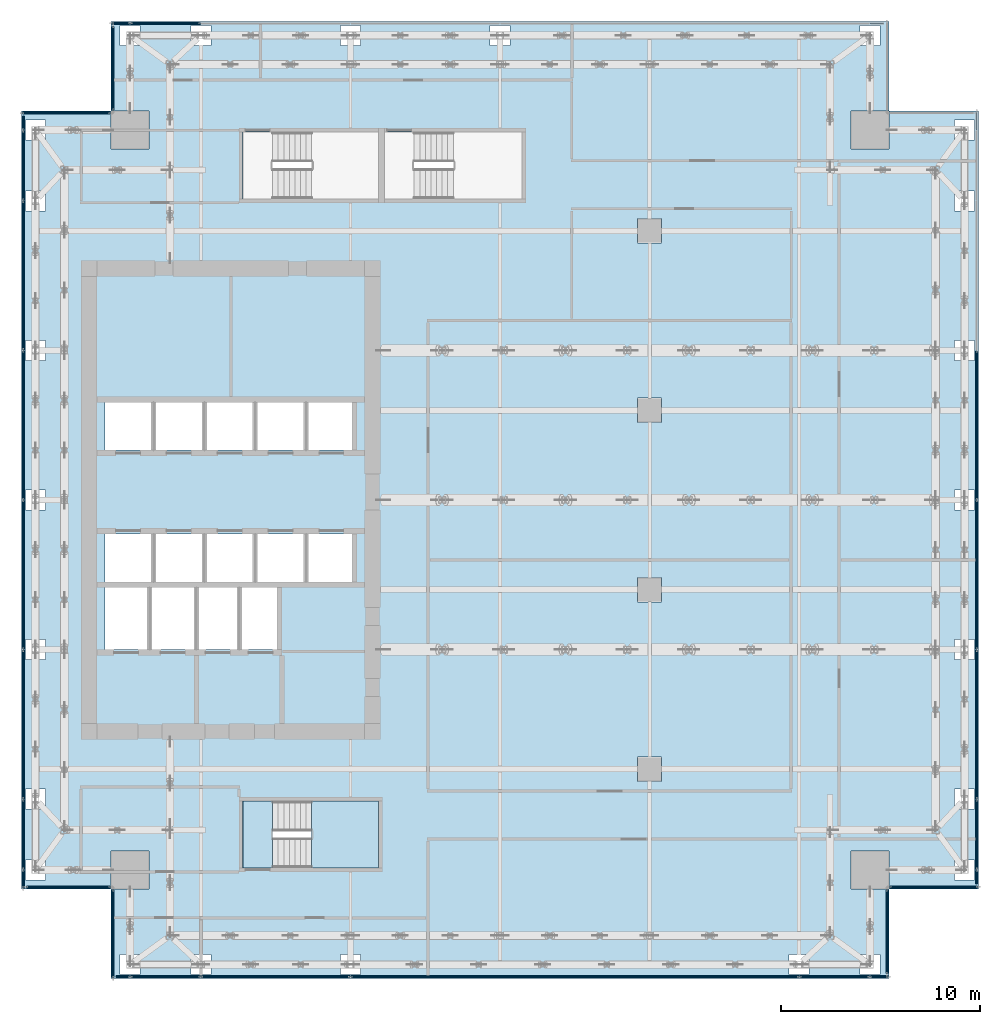
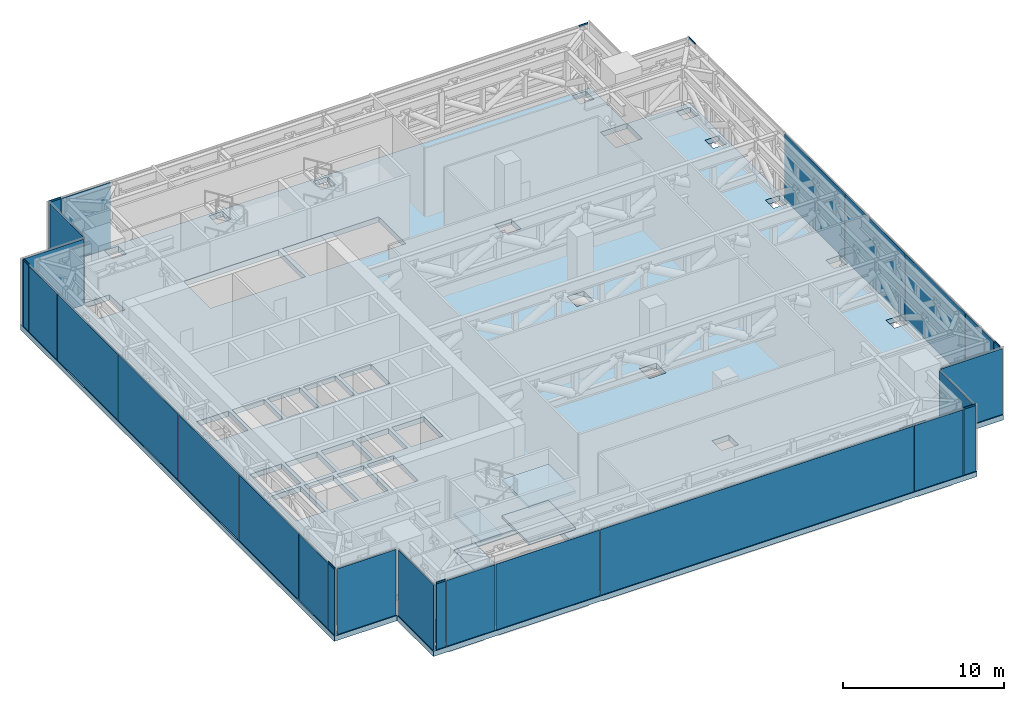
# One storey, part 27 of 36: 27 plates, 8 members, 5 slabs, 11 elements without a shape of their own.
"""IFC4 building model written with IfcOpenShell, lengths in metres."""

from ifc_helpers import new_model, si_unit, direction, frame, origin, origin_2d, place, context, subcontext, project, spatial, polyline, rectangle, hollow_rectangle, outline, extrude, source, transform, mapped, material, layer, layer_set, material_profile, profile_set, type_object, element, aggregate, save


model = new_model("IFC4")

# Units and contexts
model_context = context("Model", 3, precision=1e-05, world=origin(), true_north=direction((0.0, 1.0)))
body_context = subcontext(model_context, "Body", "Model", "MODEL_VIEW")
ifc_project = project(units=[si_unit("LENGTHUNIT", "METRE"), si_unit("AREAUNIT", "SQUARE_METRE"), si_unit("VOLUMEUNIT", "CUBIC_METRE"), si_unit("PLANEANGLEUNIT", "RADIAN"), si_unit("MASSUNIT", "GRAM", prefix="KILO")], contexts=[model_context])

# Site, building, storey
site_placement = place(None, origin())
site = spatial("IfcSite", under=ifc_project, at=site_placement, CompositionType="ELEMENT")
building_placement = place(site_placement, origin())
building = spatial("IfcBuilding", under=site, at=building_placement, Name="Khomas Fold Tower", CompositionType="ELEMENT")
storey_placement = place(building_placement, frame((0.0, 0.0, 216.699951171875)))
storey = spatial("IfcBuildingStorey", under=building, at=storey_placement, Name="L48", CompositionType="ELEMENT", Elevation=216.699951171875)

# Curtain wall, member
ifc_material_1 = material(Name="Aluminium framed double glazing", Category="aluminium")
curtain_wall_type = type_object("IfcCurtainWallType", Name="SK-Plant louvre wall CW4", PredefinedType="NOTDEFINED", material=ifc_material_1)
curtain_wall_1_placement = place(storey_placement, origin())
curtain_wall_1 = element("IfcCurtainWall", 1, at=curtain_wall_1_placement, inside=storey, type_object=curtain_wall_type, Name="CW4 run L48 00-0", PredefinedType="NOTDEFINED")
ifc_material_2 = material(Name="Aluminium", Category="aluminium")
ifc_material_profile = material_profile(ifc_material_2, hollow_rectangle(XDim=0.06005859375, YDim=0.1201171875, WallThickness=0.00390625, at=origin_2d()), Name="SK-Plant louvre wall transom CW4-T")
ifc_profile_set = profile_set([ifc_material_profile], Name="Aluminium")
member_type = type_object("IfcMemberType", Name="SK-Plant louvre wall transom CW4-T", PredefinedType="USERDEFINED", material=ifc_profile_set)
shared_shape_1 = source(origin(), body_context, "Body", "SweptSolid", [
    extrude(hollow_rectangle(XDim=0.06005859375, YDim=0.1201171875, WallThickness=0.00390625, at=origin_2d()), origin(), (0.0, 0.0, 1.0), 0.659912109375),
])
member_1_placement = place(storey_placement, frame((7.760009765625, 3.10009765625, 5.0400390625), z_axis=(1.0, 0.0, 0.0), x_axis=(0.0, 1.0, 0.0)))
member_1 = element("IfcMember", 2, at=member_1_placement, type_object=member_type, Name="CW4 transom 1", ObjectType="TRANSOM", PredefinedType="USERDEFINED", context=body_context, shape_type="MappedRepresentation", body=[
    mapped(shared_shape_1, transform((0.0, 0.0, 0.0))),
])

curtain_wall_2_placement = place(storey_placement, origin())
curtain_wall_2 = element("IfcCurtainWall", 3, at=curtain_wall_2_placement, inside=storey, type_object=curtain_wall_type, Name="CW4 run L48 03-0", PredefinedType="NOTDEFINED")
member_2_placement = place(storey_placement, frame((50.89990234375, 7.760009765625, 5.0400390625), z_axis=(0.0, 1.0, 0.0), x_axis=(-1.0, 0.0, 0.0)))
member_2 = element("IfcMember", 4, at=member_2_placement, type_object=member_type, Name="CW4 transom 1", ObjectType="TRANSOM", PredefinedType="USERDEFINED", context=body_context, shape_type="MappedRepresentation", body=[
    mapped(shared_shape_1, transform((0.0, 0.0, 0.0))),
])

curtain_wall_3_placement = place(storey_placement, origin())
curtain_wall_3 = element("IfcCurtainWall", 5, at=curtain_wall_3_placement, inside=storey, type_object=curtain_wall_type, Name="CW4 run L48 06-0", PredefinedType="NOTDEFINED")
member_3_placement = place(storey_placement, frame((46.239990234375, 50.89990234375, 5.0400390625), z_axis=(-1.0, 0.0, 0.0), x_axis=(0.0, -1.0, 0.0)))
member_3 = element("IfcMember", 6, at=member_3_placement, type_object=member_type, Name="CW4 transom 1", ObjectType="TRANSOM", PredefinedType="USERDEFINED", context=body_context, shape_type="MappedRepresentation", body=[
    mapped(shared_shape_1, transform((0.0, 0.0, 0.0))),
])

curtain_wall_4_placement = place(storey_placement, origin())
curtain_wall_4 = element("IfcCurtainWall", 7, at=curtain_wall_4_placement, inside=storey, type_object=curtain_wall_type, Name="CW4 run L48 09-0", PredefinedType="NOTDEFINED")
member_4_placement = place(storey_placement, frame((3.10009765625, 46.239990234375, 5.0400390625), z_axis=(0.0, -1.0, 0.0), x_axis=(1.0, 0.0, 0.0)))
member_4 = element("IfcMember", 8, at=member_4_placement, type_object=member_type, Name="CW4 transom 1", ObjectType="TRANSOM", PredefinedType="USERDEFINED", context=body_context, shape_type="MappedRepresentation", body=[
    mapped(shared_shape_1, transform((0.0, 0.0, 0.0))),
])

# Member
shared_shape_2 = source(origin(), body_context, "Body", "SweptSolid", [
    extrude(hollow_rectangle(XDim=0.06005859375, YDim=0.1201171875, WallThickness=0.00390625, at=origin_2d()), origin(), (0.0, 0.0, 1.0), 0.85986328125),
])
member_5_placement = place(storey_placement, frame((45.580078125, 3.10009765625, 5.0400390625), z_axis=(1.0, 0.0, 0.0), x_axis=(0.0, 1.0, 0.0)))
member_5 = element("IfcMember", 9, at=member_5_placement, type_object=member_type, Name="CW4 transom 6", ObjectType="TRANSOM", PredefinedType="USERDEFINED", context=body_context, shape_type="MappedRepresentation", body=[
    mapped(shared_shape_2, transform((0.0, 0.0, 0.0))),
])

member_6_placement = place(storey_placement, frame((50.89990234375, 45.580078125, 5.0400390625), z_axis=(0.0, 1.0, 0.0), x_axis=(-1.0, 0.0, 0.0)))
member_6 = element("IfcMember", 10, at=member_6_placement, type_object=member_type, Name="CW4 transom 8", ObjectType="TRANSOM", PredefinedType="USERDEFINED", context=body_context, shape_type="MappedRepresentation", body=[
    mapped(shared_shape_2, transform((0.0, 0.0, 0.0))),
])

member_7_placement = place(storey_placement, frame((8.419921875, 50.89990234375, 5.0400390625), z_axis=(-1.0, 0.0, 0.0), x_axis=(0.0, -1.0, 0.0)))
member_7 = element("IfcMember", 11, at=member_7_placement, type_object=member_type, Name="CW4 transom 6", ObjectType="TRANSOM", PredefinedType="USERDEFINED", context=body_context, shape_type="MappedRepresentation", body=[
    mapped(shared_shape_2, transform((0.0, 0.0, 0.0))),
])

member_8_placement = place(storey_placement, frame((3.10009765625, 8.419921875, 5.0400390625), z_axis=(0.0, -1.0, 0.0), x_axis=(1.0, 0.0, 0.0)))
member_8 = element("IfcMember", 12, at=member_8_placement, type_object=member_type, Name="CW4 transom 8", ObjectType="TRANSOM", PredefinedType="USERDEFINED", context=body_context, shape_type="MappedRepresentation", body=[
    mapped(shared_shape_2, transform((0.0, 0.0, 0.0))),
])

# Slab
ifc_material_3 = material(Name="Concrete C40/50", Category="concrete")
ifc_layer_1 = layer(ifc_material_3, 0.39990234375)
ifc_layer_set_1 = layer_set([ifc_layer_1], Name="Concrete C40/50")
slab_type_1 = type_object("IfcSlabType", Name="RC floor slab 400", PredefinedType="FLOOR", material=ifc_layer_set_1)
shared_shape_3 = source(origin(), body_context, "Body", "SweptSolid", [
    extrude(outline(polyline([(3.0, 7.5), (7.4951171875, 7.5), (7.4951171875, 9.405029296875), (9.405029296875, 9.405029296875), (9.405029296875, 7.4951171875), (7.5, 7.4951171875), (7.5, 3.0), (46.5, 3.0), (46.5, 7.4951171875), (44.594970703125, 7.4951171875), (44.594970703125, 9.405029296875), (46.5048828125, 9.405029296875), (46.5048828125, 7.5), (51.0, 7.5), (51.0, 46.5), (46.5048828125, 46.5), (46.5048828125, 44.594970703125), (44.594970703125, 44.594970703125), (44.594970703125, 46.5048828125), (46.5, 46.5048828125), (46.5, 51.0), (7.5, 51.0), (7.5, 46.5048828125), (9.405029296875, 46.5048828125), (9.405029296875, 44.594970703125), (7.4951171875, 44.594970703125), (7.4951171875, 46.5), (3.0, 46.5), (3.0, 7.5)]), holes=[polyline([(3.195068359375, 7.945068359375), (3.195068359375, 8.955078125), (4.205078125, 8.955078125), (4.205078125, 7.945068359375), (3.195068359375, 7.945068359375)]), polyline([(3.195068359375, 11.4951171875), (3.195068359375, 12.5048828125), (4.205078125, 12.5048828125), (4.205078125, 11.4951171875), (3.195068359375, 11.4951171875)]), polyline([(3.195068359375, 18.9951171875), (3.195068359375, 20.0048828125), (4.205078125, 20.0048828125), (4.205078125, 18.9951171875), (3.195068359375, 18.9951171875)]), polyline([(3.195068359375, 26.4951171875), (3.195068359375, 27.5048828125), (4.205078125, 27.5048828125), (4.205078125, 26.4951171875), (3.195068359375, 26.4951171875)]), polyline([(3.195068359375, 33.9951171875), (3.195068359375, 35.0048828125), (4.205078125, 35.0048828125), (4.205078125, 33.9951171875), (3.195068359375, 33.9951171875)]), polyline([(3.195068359375, 41.4951171875), (3.195068359375, 42.5048828125), (4.205078125, 42.5048828125), (4.205078125, 41.4951171875), (3.195068359375, 41.4951171875)]), polyline([(3.195068359375, 45.044921875), (3.195068359375, 46.054931640625), (4.205078125, 46.054931640625), (4.205078125, 45.044921875), (3.195068359375, 45.044921875)]), polyline([(7.199951171875, 19.5), (7.199951171875, 22.60009765625), (9.300048828125, 22.60009765625), (9.300048828125, 19.5), (7.199951171875, 19.5)]), polyline([(7.199951171875, 22.89990234375), (7.199951171875, 25.300048828125), (9.5, 25.300048828125), (9.5, 22.89990234375), (7.199951171875, 22.89990234375)]), polyline([(7.199951171875, 29.5), (7.199951171875, 31.89990234375), (9.5, 31.89990234375), (9.5, 29.5), (7.199951171875, 29.5)]), polyline([(7.945068359375, 3.195068359375), (7.945068359375, 4.205078125), (8.955078125, 4.205078125), (8.955078125, 3.195068359375), (7.945068359375, 3.195068359375)]), polyline([(7.945068359375, 49.794921875), (7.945068359375, 50.804931640625), (8.955078125, 50.804931640625), (8.955078125, 49.794921875), (7.945068359375, 49.794921875)]), polyline([(9.550048828125, 19.5), (9.550048828125, 22.60009765625), (11.64990234375, 22.60009765625), (11.64990234375, 19.5), (9.550048828125, 19.5)]), polyline([(9.75, 22.89990234375), (9.75, 25.300048828125), (12.050048828125, 25.300048828125), (12.050048828125, 22.89990234375), (9.75, 22.89990234375)]), polyline([(9.75, 29.5), (9.75, 31.89990234375), (12.050048828125, 31.89990234375), (12.050048828125, 29.5), (9.75, 29.5)]), polyline([(11.4951171875, 3.195068359375), (11.4951171875, 4.205078125), (12.5048828125, 4.205078125), (12.5048828125, 3.195068359375), (11.4951171875, 3.195068359375)]), polyline([(11.4951171875, 49.794921875), (11.4951171875, 50.804931640625), (12.5048828125, 50.804931640625), (12.5048828125, 49.794921875), (11.4951171875, 49.794921875)]), polyline([(11.89990234375, 19.5), (11.89990234375, 22.60009765625), (13.800048828125, 22.60009765625), (13.800048828125, 19.5), (11.89990234375, 19.5)]), polyline([(12.300048828125, 22.89990234375), (12.300048828125, 25.300048828125), (14.60009765625, 25.300048828125), (14.60009765625, 22.89990234375), (12.300048828125, 22.89990234375)]), polyline([(12.300048828125, 29.5), (12.300048828125, 31.89990234375), (14.60009765625, 31.89990234375), (14.60009765625, 29.5), (12.300048828125, 29.5)]), polyline([(14.050048828125, 19.5), (14.050048828125, 22.60009765625), (15.949951171875, 22.60009765625), (15.949951171875, 19.5), (14.050048828125, 19.5)]), polyline([(14.10009765625, 8.550048828125), (14.10009765625, 11.89990234375), (20.89990234375, 11.89990234375), (20.89990234375, 8.550048828125), (14.10009765625, 8.550048828125)]), polyline([(14.10009765625, 42.10009765625), (14.10009765625, 45.449951171875), (20.89990234375, 45.449951171875), (20.89990234375, 42.10009765625), (14.10009765625, 42.10009765625)]), polyline([(14.85009765625, 22.89990234375), (14.85009765625, 25.300048828125), (17.14990234375, 25.300048828125), (17.14990234375, 22.89990234375), (14.85009765625, 22.89990234375)]), polyline([(14.85009765625, 29.5), (14.85009765625, 31.89990234375), (17.14990234375, 31.89990234375), (17.14990234375, 29.5), (14.85009765625, 29.5)]), polyline([(17.39990234375, 22.89990234375), (17.39990234375, 25.300048828125), (19.699951171875, 25.300048828125), (19.699951171875, 22.89990234375), (17.39990234375, 22.89990234375)]), polyline([(17.39990234375, 29.5), (17.39990234375, 31.89990234375), (19.699951171875, 31.89990234375), (19.699951171875, 29.5), (17.39990234375, 29.5)]), polyline([(18.9951171875, 3.195068359375), (18.9951171875, 4.205078125), (20.0048828125, 4.205078125), (20.0048828125, 3.195068359375), (18.9951171875, 3.195068359375)]), polyline([(18.9951171875, 49.794921875), (18.9951171875, 50.804931640625), (20.0048828125, 50.804931640625), (20.0048828125, 49.794921875), (18.9951171875, 49.794921875)]), polyline([(21.199951171875, 42.10009765625), (21.199951171875, 45.449951171875), (28.10009765625, 45.449951171875), (28.10009765625, 42.10009765625), (21.199951171875, 42.10009765625)]), polyline([(26.4951171875, 49.794921875), (26.4951171875, 50.804931640625), (27.5048828125, 50.804931640625), (27.5048828125, 49.794921875), (26.4951171875, 49.794921875)]), polyline([(33.89501953125, 12.89501953125), (33.89501953125, 14.10498046875), (35.10498046875, 14.10498046875), (35.10498046875, 12.89501953125), (33.89501953125, 12.89501953125)]), polyline([(33.89501953125, 21.89501953125), (33.89501953125, 23.10498046875), (35.10498046875, 23.10498046875), (35.10498046875, 21.89501953125), (33.89501953125, 21.89501953125)]), polyline([(33.89501953125, 30.89501953125), (33.89501953125, 32.10498046875), (35.10498046875, 32.10498046875), (35.10498046875, 30.89501953125), (33.89501953125, 30.89501953125)]), polyline([(33.89501953125, 39.89501953125), (33.89501953125, 41.10498046875), (35.10498046875, 41.10498046875), (35.10498046875, 39.89501953125), (33.89501953125, 39.89501953125)]), polyline([(41.4951171875, 3.195068359375), (41.4951171875, 4.205078125), (42.5048828125, 4.205078125), (42.5048828125, 3.195068359375), (41.4951171875, 3.195068359375)]), polyline([(45.044921875, 3.195068359375), (45.044921875, 4.205078125), (46.054931640625, 4.205078125), (46.054931640625, 3.195068359375), (45.044921875, 3.195068359375)]), polyline([(45.044921875, 49.794921875), (45.044921875, 50.804931640625), (46.054931640625, 50.804931640625), (46.054931640625, 49.794921875), (45.044921875, 49.794921875)]), polyline([(49.794921875, 7.945068359375), (49.794921875, 8.955078125), (50.804931640625, 8.955078125), (50.804931640625, 7.945068359375), (49.794921875, 7.945068359375)]), polyline([(49.794921875, 11.4951171875), (49.794921875, 12.5048828125), (50.804931640625, 12.5048828125), (50.804931640625, 11.4951171875), (49.794921875, 11.4951171875)]), polyline([(49.794921875, 18.9951171875), (49.794921875, 20.0048828125), (50.804931640625, 20.0048828125), (50.804931640625, 18.9951171875), (49.794921875, 18.9951171875)]), polyline([(49.794921875, 26.4951171875), (49.794921875, 27.5048828125), (50.804931640625, 27.5048828125), (50.804931640625, 26.4951171875), (49.794921875, 26.4951171875)]), polyline([(49.794921875, 33.9951171875), (49.794921875, 35.0048828125), (50.804931640625, 35.0048828125), (50.804931640625, 33.9951171875), (49.794921875, 33.9951171875)]), polyline([(49.794921875, 41.4951171875), (49.794921875, 42.5048828125), (50.804931640625, 42.5048828125), (50.804931640625, 41.4951171875), (49.794921875, 41.4951171875)]), polyline([(49.794921875, 45.044921875), (49.794921875, 46.054931640625), (50.804931640625, 46.054931640625), (50.804931640625, 45.044921875), (49.794921875, 45.044921875)])]), origin(), (0.0, 0.0, 1.0), 0.39990234375),
])
slab_1_placement = place(storey_placement, frame((0.0, 0.0, -0.39990234375)))
element("IfcSlab", 13, at=slab_1_placement, inside=storey, type_object=slab_type_1, Name="S-L48", PredefinedType="FLOOR", context=body_context, shape_type="MappedRepresentation", body=[
    mapped(shared_shape_3, transform((0.0, 0.0, 0.0))),
])

# Plate
ifc_material_4 = material(Name="Aluminium louvre blades", Category="aluminium")
ifc_layer_2 = layer(ifc_material_4, 0.080078125)
ifc_layer_set_2 = layer_set([ifc_layer_2], Name="Aluminium louvre blades")
plate_type = type_object("IfcPlateType", Name="SK-Plant louvre wall louvre panel CW4-P", PredefinedType="CURTAIN_PANEL", material=ifc_layer_set_2)
shared_shape_4 = source(origin(), body_context, "Body", "SweptSolid", [
    extrude(rectangle(XDim=7.43994140625, YDim=0.080078125, at=origin_2d()), origin(), (0.0, 0.0, 1.0), 4.97998046875),
])
plate_1_placement = place(storey_placement, frame((15.75, 3.10009765625, 0.0), z_axis=(0.0, 0.0, 1.0), x_axis=(1.0, 0.0, 0.0)))
plate_1 = element("IfcPlate", 14, at=plate_1_placement, type_object=plate_type, Name="CW4 louvre panel 3", PredefinedType="CURTAIN_PANEL", context=body_context, shape_type="MappedRepresentation", body=[
    mapped(shared_shape_4, transform((0.0, 0.0, 0.0))),
])

plate_2_placement = place(storey_placement, frame((50.89990234375, 15.75, 0.0), z_axis=(0.0, 0.0, 1.0), x_axis=(0.0, 1.0, 0.0)))
plate_2 = element("IfcPlate", 15, at=plate_2_placement, type_object=plate_type, Name="CW4 louvre panel 3", PredefinedType="CURTAIN_PANEL", context=body_context, shape_type="MappedRepresentation", body=[
    mapped(shared_shape_4, transform((0.0, 0.0, 0.0))),
])

plate_3_placement = place(storey_placement, frame((50.89990234375, 23.25, 0.0), z_axis=(0.0, 0.0, 1.0), x_axis=(0.0, 1.0, 0.0)))
plate_3 = element("IfcPlate", 16, at=plate_3_placement, type_object=plate_type, Name="CW4 louvre panel 4", PredefinedType="CURTAIN_PANEL", context=body_context, shape_type="MappedRepresentation", body=[
    mapped(shared_shape_4, transform((0.0, 0.0, 0.0))),
])

plate_4_placement = place(storey_placement, frame((50.89990234375, 30.75, 0.0), z_axis=(0.0, 0.0, 1.0), x_axis=(0.0, 1.0, 0.0)))
plate_4 = element("IfcPlate", 17, at=plate_4_placement, type_object=plate_type, Name="CW4 louvre panel 5", PredefinedType="CURTAIN_PANEL", context=body_context, shape_type="MappedRepresentation", body=[
    mapped(shared_shape_4, transform((0.0, 0.0, 0.0))),
])

plate_5_placement = place(storey_placement, frame((3.10009765625, 38.25, 0.0), z_axis=(0.0, 0.0, 1.0), x_axis=(0.0, -1.0, 0.0)))
plate_5 = element("IfcPlate", 18, at=plate_5_placement, type_object=plate_type, Name="CW4 louvre panel 3", PredefinedType="CURTAIN_PANEL", context=body_context, shape_type="MappedRepresentation", body=[
    mapped(shared_shape_4, transform((0.0, 0.0, 0.0))),
])

plate_6_placement = place(storey_placement, frame((3.10009765625, 30.75, 0.0), z_axis=(0.0, 0.0, 1.0), x_axis=(0.0, -1.0, 0.0)))
plate_6 = element("IfcPlate", 19, at=plate_6_placement, type_object=plate_type, Name="CW4 louvre panel 4", PredefinedType="CURTAIN_PANEL", context=body_context, shape_type="MappedRepresentation", body=[
    mapped(shared_shape_4, transform((0.0, 0.0, 0.0))),
])

plate_7_placement = place(storey_placement, frame((3.10009765625, 23.25, 0.0), z_axis=(0.0, 0.0, 1.0), x_axis=(0.0, -1.0, 0.0)))
plate_7 = element("IfcPlate", 20, at=plate_7_placement, type_object=plate_type, Name="CW4 louvre panel 5", PredefinedType="CURTAIN_PANEL", context=body_context, shape_type="MappedRepresentation", body=[
    mapped(shared_shape_4, transform((0.0, 0.0, 0.0))),
])

plate_8_placement = place(storey_placement, frame((3.10009765625, 15.75, 0.0), z_axis=(0.0, 0.0, 1.0), x_axis=(0.0, -1.0, 0.0)))
plate_8 = element("IfcPlate", 21, at=plate_8_placement, type_object=plate_type, Name="CW4 louvre panel 6", PredefinedType="CURTAIN_PANEL", context=body_context, shape_type="MappedRepresentation", body=[
    mapped(shared_shape_4, transform((0.0, 0.0, 0.0))),
])

shared_shape_5 = source(origin(), body_context, "Body", "SweptSolid", [
    extrude(rectangle(XDim=0.659912109375, YDim=0.080078125, at=origin_2d()), origin(), (0.0, 0.0, 1.0), 4.97998046875),
])
plate_9_placement = place(storey_placement, frame((8.090087890625, 3.10009765625, 0.0), z_axis=(0.0, 0.0, 1.0), x_axis=(1.0, 0.0, 0.0)))
plate_9 = element("IfcPlate", 22, at=plate_9_placement, type_object=plate_type, Name="CW4 louvre panel 1", PredefinedType="CURTAIN_PANEL", context=body_context, shape_type="MappedRepresentation", body=[
    mapped(shared_shape_5, transform((0.0, 0.0, 0.0))),
])

plate_10_placement = place(storey_placement, frame((50.89990234375, 8.090087890625, 0.0), z_axis=(0.0, 0.0, 1.0), x_axis=(0.0, 1.0, 0.0)))
plate_10 = element("IfcPlate", 23, at=plate_10_placement, type_object=plate_type, Name="CW4 louvre panel 1", PredefinedType="CURTAIN_PANEL", context=body_context, shape_type="MappedRepresentation", body=[
    mapped(shared_shape_5, transform((0.0, 0.0, 0.0))),
])

plate_11_placement = place(storey_placement, frame((3.10009765625, 45.909912109375, 0.0), z_axis=(0.0, 0.0, 1.0), x_axis=(0.0, -1.0, 0.0)))
plate_11 = element("IfcPlate", 24, at=plate_11_placement, type_object=plate_type, Name="CW4 louvre panel 1", PredefinedType="CURTAIN_PANEL", context=body_context, shape_type="MappedRepresentation", body=[
    mapped(shared_shape_5, transform((0.0, 0.0, 0.0))),
])

shared_shape_6 = source(origin(), body_context, "Body", "SweptSolid", [
    extrude(rectangle(XDim=3.489990234375, YDim=0.080078125, at=origin_2d()), origin(), (0.0, 0.0, 1.0), 4.97998046875),
])
plate_12_placement = place(storey_placement, frame((10.22509765625, 3.10009765625, 0.0), z_axis=(0.0, 0.0, 1.0), x_axis=(1.0, 0.0, 0.0)))
plate_12 = element("IfcPlate", 25, at=plate_12_placement, type_object=plate_type, Name="CW4 louvre panel 2", PredefinedType="CURTAIN_PANEL", context=body_context, shape_type="MappedRepresentation", body=[
    mapped(shared_shape_6, transform((0.0, 0.0, 0.0))),
])

plate_13_placement = place(storey_placement, frame((43.77490234375, 3.10009765625, 0.0), z_axis=(0.0, 0.0, 1.0), x_axis=(1.0, 0.0, 0.0)))
plate_13 = element("IfcPlate", 26, at=plate_13_placement, type_object=plate_type, Name="CW4 louvre panel 5", PredefinedType="CURTAIN_PANEL", context=body_context, shape_type="MappedRepresentation", body=[
    mapped(shared_shape_6, transform((0.0, 0.0, 0.0))),
])

plate_14_placement = place(storey_placement, frame((50.89990234375, 10.22509765625, 0.0), z_axis=(0.0, 0.0, 1.0), x_axis=(0.0, 1.0, 0.0)))
plate_14 = element("IfcPlate", 27, at=plate_14_placement, type_object=plate_type, Name="CW4 louvre panel 2", PredefinedType="CURTAIN_PANEL", context=body_context, shape_type="MappedRepresentation", body=[
    mapped(shared_shape_6, transform((0.0, 0.0, 0.0))),
])

aggregate(curtain_wall_2, [member_2, plate_10, plate_14, plate_2, plate_3, plate_4, member_6])

plate_15_placement = place(storey_placement, frame((10.22509765625, 50.89990234375, 0.0), z_axis=(0.0, 0.0, 1.0), x_axis=(-1.0, 0.0, 0.0)))
plate_15 = element("IfcPlate", 28, at=plate_15_placement, type_object=plate_type, Name="CW4 louvre panel 5", PredefinedType="CURTAIN_PANEL", context=body_context, shape_type="MappedRepresentation", body=[
    mapped(shared_shape_6, transform((0.0, 0.0, 0.0))),
])

plate_16_placement = place(storey_placement, frame((3.10009765625, 43.77490234375, 0.0), z_axis=(0.0, 0.0, 1.0), x_axis=(0.0, -1.0, 0.0)))
plate_16 = element("IfcPlate", 29, at=plate_16_placement, type_object=plate_type, Name="CW4 louvre panel 2", PredefinedType="CURTAIN_PANEL", context=body_context, shape_type="MappedRepresentation", body=[
    mapped(shared_shape_6, transform((0.0, 0.0, 0.0))),
])

plate_17_placement = place(storey_placement, frame((3.10009765625, 10.22509765625, 0.0), z_axis=(0.0, 0.0, 1.0), x_axis=(0.0, -1.0, 0.0)))
plate_17 = element("IfcPlate", 30, at=plate_17_placement, type_object=plate_type, Name="CW4 louvre panel 7", PredefinedType="CURTAIN_PANEL", context=body_context, shape_type="MappedRepresentation", body=[
    mapped(shared_shape_6, transform((0.0, 0.0, 0.0))),
])

shared_shape_7 = source(origin(), body_context, "Body", "SweptSolid", [
    extrude(rectangle(XDim=22.43994140625, YDim=0.080078125, at=origin_2d()), origin(), (0.0, 0.0, 1.0), 4.97998046875),
])
plate_18_placement = place(storey_placement, frame((30.75, 3.10009765625, 0.0), z_axis=(0.0, 0.0, 1.0), x_axis=(1.0, 0.0, 0.0)))
plate_18 = element("IfcPlate", 31, at=plate_18_placement, type_object=plate_type, Name="CW4 louvre panel 4", PredefinedType="CURTAIN_PANEL", context=body_context, shape_type="MappedRepresentation", body=[
    mapped(shared_shape_7, transform((0.0, 0.0, 0.0))),
])

shared_shape_8 = source(origin(), body_context, "Body", "SweptSolid", [
    extrude(rectangle(XDim=0.860107421875, YDim=0.080078125, at=origin_2d()), origin(), (0.0, 0.0, 1.0), 4.97998046875),
])
plate_19_placement = place(storey_placement, frame((46.010009765625, 3.10009765625, 0.0), z_axis=(0.0, 0.0, 1.0), x_axis=(1.0, 0.0, 0.0)))
plate_19 = element("IfcPlate", 32, at=plate_19_placement, type_object=plate_type, Name="CW4 louvre panel 6", PredefinedType="CURTAIN_PANEL", context=body_context, shape_type="MappedRepresentation", body=[
    mapped(shared_shape_8, transform((0.0, 0.0, 0.0))),
])

aggregate(curtain_wall_1, [member_1, plate_9, plate_12, plate_1, plate_18, plate_13, member_5, plate_19])

plate_20_placement = place(storey_placement, frame((7.989990234375, 50.89990234375, 0.0), z_axis=(0.0, 0.0, 1.0), x_axis=(-1.0, 0.0, 0.0)))
plate_20 = element("IfcPlate", 33, at=plate_20_placement, type_object=plate_type, Name="CW4 louvre panel 6", PredefinedType="CURTAIN_PANEL", context=body_context, shape_type="MappedRepresentation", body=[
    mapped(shared_shape_8, transform((0.0, 0.0, 0.0))),
])

aggregate(curtain_wall_3, [member_3, plate_15, member_7, plate_20])

plate_21_placement = place(storey_placement, frame((3.10009765625, 7.989990234375, 0.0), z_axis=(0.0, 0.0, 1.0), x_axis=(0.0, -1.0, 0.0)))
plate_21 = element("IfcPlate", 34, at=plate_21_placement, type_object=plate_type, Name="CW4 louvre panel 8", PredefinedType="CURTAIN_PANEL", context=body_context, shape_type="MappedRepresentation", body=[
    mapped(shared_shape_8, transform((0.0, 0.0, 0.0))),
])

aggregate(curtain_wall_4, [member_4, plate_11, plate_16, plate_5, plate_6, plate_7, plate_8, plate_17, member_8, plate_21])

# Curtain wall, plate
curtain_wall_5_placement = place(storey_placement, origin())
curtain_wall_5 = element("IfcCurtainWall", 35, at=curtain_wall_5_placement, inside=storey, type_object=curtain_wall_type, Name="CW4 corner return L48 01", PredefinedType="NOTDEFINED")
shared_shape_9 = source(origin(), body_context, "Body", "SweptSolid", [
    extrude(rectangle(XDim=4.179931640625, YDim=0.080078125, at=origin_2d()), origin(), (0.0, 0.0, 1.0), 4.97998046875),
])
plate_22_placement = place(storey_placement, frame((46.39990234375, 5.35009765625, 0.0), z_axis=(0.0, 0.0, 1.0), x_axis=(0.0, 1.0, 0.0)))
plate_22 = element("IfcPlate", 36, at=plate_22_placement, type_object=plate_type, Name="CW4 louvre panel 1", PredefinedType="CURTAIN_PANEL", context=body_context, shape_type="MappedRepresentation", body=[
    mapped(shared_shape_9, transform((0.0, 0.0, 0.0))),
])
aggregate(curtain_wall_5, [plate_22])

curtain_wall_6_placement = place(storey_placement, origin())
curtain_wall_6 = element("IfcCurtainWall", 37, at=curtain_wall_6_placement, inside=storey, type_object=curtain_wall_type, Name="CW4 corner return L48 07", PredefinedType="NOTDEFINED")
plate_23_placement = place(storey_placement, frame((7.60009765625, 48.64990234375, 0.0), z_axis=(0.0, 0.0, 1.0), x_axis=(0.0, -1.0, 0.0)))
plate_23 = element("IfcPlate", 38, at=plate_23_placement, type_object=plate_type, Name="CW4 louvre panel 1", PredefinedType="CURTAIN_PANEL", context=body_context, shape_type="MappedRepresentation", body=[
    mapped(shared_shape_9, transform((0.0, 0.0, 0.0))),
])
aggregate(curtain_wall_6, [plate_23])

curtain_wall_7_placement = place(storey_placement, origin())
curtain_wall_7 = element("IfcCurtainWall", 39, at=curtain_wall_7_placement, inside=storey, type_object=curtain_wall_type, Name="CW4 corner return L48 10", PredefinedType="NOTDEFINED")
plate_24_placement = place(storey_placement, frame((5.35009765625, 7.60009765625, 0.0), z_axis=(0.0, 0.0, 1.0), x_axis=(1.0, 0.0, 0.0)))
plate_24 = element("IfcPlate", 40, at=plate_24_placement, type_object=plate_type, Name="CW4 louvre panel 1", PredefinedType="CURTAIN_PANEL", context=body_context, shape_type="MappedRepresentation", body=[
    mapped(shared_shape_9, transform((0.0, 0.0, 0.0))),
])
aggregate(curtain_wall_7, [plate_24])

curtain_wall_8_placement = place(storey_placement, origin())
curtain_wall_8 = element("IfcCurtainWall", 41, at=curtain_wall_8_placement, inside=storey, type_object=curtain_wall_type, Name="CW4 corner return L48 02", PredefinedType="NOTDEFINED")
shared_shape_10 = source(origin(), body_context, "Body", "SweptSolid", [
    extrude(rectangle(XDim=4.3798828125, YDim=0.080078125, at=origin_2d()), origin(), (0.0, 0.0, 1.0), 4.97998046875),
])
plate_25_placement = place(storey_placement, frame((48.75, 7.60009765625, 0.0), z_axis=(0.0, 0.0, 1.0), x_axis=(1.0, 0.0, 0.0)))
plate_25 = element("IfcPlate", 42, at=plate_25_placement, type_object=plate_type, Name="CW4 louvre panel 1", PredefinedType="CURTAIN_PANEL", context=body_context, shape_type="MappedRepresentation", body=[
    mapped(shared_shape_10, transform((0.0, 0.0, 0.0))),
])
aggregate(curtain_wall_8, [plate_25])

curtain_wall_9_placement = place(storey_placement, origin())
curtain_wall_9 = element("IfcCurtainWall", 43, at=curtain_wall_9_placement, inside=storey, type_object=curtain_wall_type, Name="CW4 corner return L48 08", PredefinedType="NOTDEFINED")
plate_26_placement = place(storey_placement, frame((5.25, 46.39990234375, 0.0), z_axis=(0.0, 0.0, 1.0), x_axis=(-1.0, 0.0, 0.0)))
plate_26 = element("IfcPlate", 44, at=plate_26_placement, type_object=plate_type, Name="CW4 louvre panel 1", PredefinedType="CURTAIN_PANEL", context=body_context, shape_type="MappedRepresentation", body=[
    mapped(shared_shape_10, transform((0.0, 0.0, 0.0))),
])
aggregate(curtain_wall_9, [plate_26])

curtain_wall_10_placement = place(storey_placement, origin())
curtain_wall_10 = element("IfcCurtainWall", 45, at=curtain_wall_10_placement, inside=storey, type_object=curtain_wall_type, Name="CW4 corner return L48 11", PredefinedType="NOTDEFINED")
plate_27_placement = place(storey_placement, frame((7.60009765625, 5.25, 0.0), z_axis=(0.0, 0.0, 1.0), x_axis=(0.0, -1.0, 0.0)))
plate_27 = element("IfcPlate", 46, at=plate_27_placement, type_object=plate_type, Name="CW4 louvre panel 1", PredefinedType="CURTAIN_PANEL", context=body_context, shape_type="MappedRepresentation", body=[
    mapped(shared_shape_10, transform((0.0, 0.0, 0.0))),
])
aggregate(curtain_wall_10, [plate_27])

# Stair, slabs
ifc_material_5 = material(Name="Concrete C40/50", Category="concrete")
stair_type = type_object("IfcStairType", Name="Stair ST2", PredefinedType="HALF_TURN_STAIR", material=ifc_material_5)
stair_placement = place(storey_placement, origin())
stair = element("IfcStair", 47, at=stair_placement, inside=storey, type_object=stair_type, Name="L48 ST2", PredefinedType="HALF_TURN_STAIR")
ifc_material_6 = material(Name="Concrete C40/50", Category="concrete")
ifc_layer_3 = layer(ifc_material_6, 0.199951171875)
ifc_layer_set_3 = layer_set([ifc_layer_3], Name="Concrete C40/50")
slab_type_2 = type_object("IfcSlabType", Name="Stair landing 200", PredefinedType="LANDING", material=ifc_layer_set_3)
shared_shape_11 = source(origin(), body_context, "Body", "SweptSolid", [
    extrude(outline(polyline([(14.10009765625, 8.550048828125), (15.60009765625, 8.550048828125), (15.60009765625, 11.89990234375), (14.10009765625, 11.89990234375), (14.10009765625, 8.550048828125)])), origin(), (0.0, 0.0, 1.0), 0.199951171875),
])
slab_2_placement = place(storey_placement, frame((0.0, 0.0, 2.550048828125)))
slab_2 = element("IfcSlab", 48, at=slab_2_placement, type_object=slab_type_2, Name="ST2 landing 2", PredefinedType="LANDING", context=body_context, shape_type="MappedRepresentation", body=[
    mapped(shared_shape_11, transform((0.0, 0.0, 0.0))),
])
shared_shape_12 = source(origin(), body_context, "Body", "SweptSolid", [
    extrude(outline(polyline([(17.56005859375, 8.550048828125), (20.89990234375, 8.550048828125), (20.89990234375, 11.89990234375), (17.56005859375, 11.89990234375), (17.56005859375, 8.550048828125)])), origin(), (0.0, 0.0, 1.0), 0.199951171875),
])
slab_3_placement = place(storey_placement, frame((0.0, 0.0, 1.175048828125)))
slab_3 = element("IfcSlab", 49, at=slab_3_placement, type_object=slab_type_2, Name="ST2 landing 1", PredefinedType="LANDING", context=body_context, shape_type="MappedRepresentation", body=[
    mapped(shared_shape_12, transform((0.0, 0.0, 0.0))),
])
slab_4_placement = place(storey_placement, frame((0.0, 0.0, 3.925048828125)))
slab_4 = element("IfcSlab", 50, at=slab_4_placement, type_object=slab_type_2, Name="ST2 landing 3", PredefinedType="LANDING", context=body_context, shape_type="MappedRepresentation", body=[
    mapped(shared_shape_12, transform((0.0, 0.0, 0.0))),
])
aggregate(stair, [slab_3, slab_2, slab_4])

# Slab
ifc_material_7 = material(Name="Concrete C40/50", Category="concrete")
ifc_layer_4 = layer(ifc_material_7, 0.39990234375)
ifc_layer_set_4 = layer_set([ifc_layer_4], Name="Concrete C40/50")
slab_type_3 = type_object("IfcSlabType", Name="Stair floor landing 400", PredefinedType="LANDING", material=ifc_layer_set_4)
shared_shape_13 = source(origin(), body_context, "Body", "SweptSolid", [
    extrude(outline(polyline([(14.10009765625, 11.89990234375), (15.60009765625, 11.89990234375), (15.60009765625, 8.550048828125), (14.10009765625, 8.550048828125), (14.10009765625, 11.89990234375)])), origin(), (0.0, 0.0, 1.0), 0.39990234375),
])
slab_5_placement = place(storey_placement, frame((0.0, 0.0, -0.39990234375)))
element("IfcSlab", 51, at=slab_5_placement, inside=storey, type_object=slab_type_3, Name="ST2 floor landing", PredefinedType="LANDING", context=body_context, shape_type="MappedRepresentation", body=[
    mapped(shared_shape_13, transform((0.0, 0.0, 0.0))),
])

save(model, "model.ifc")
